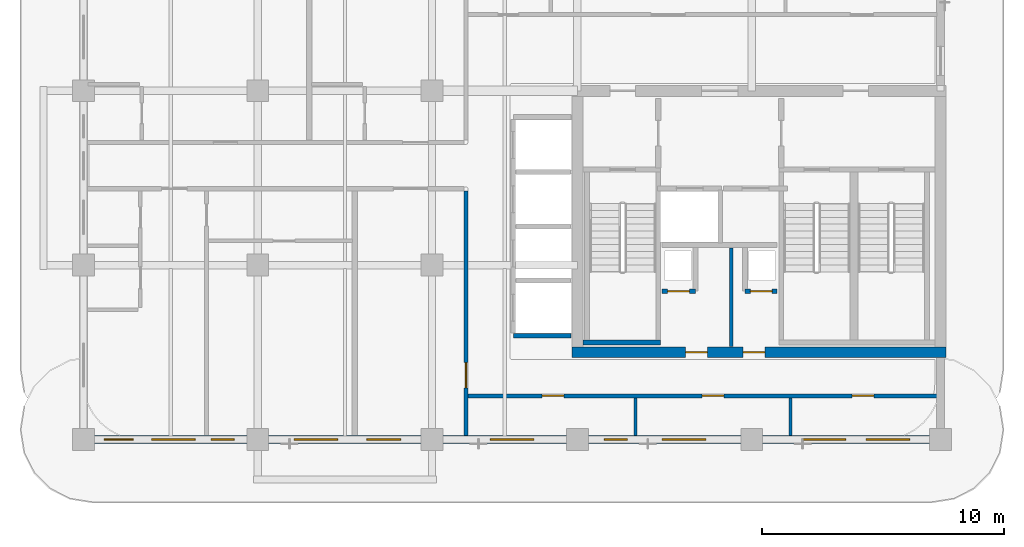
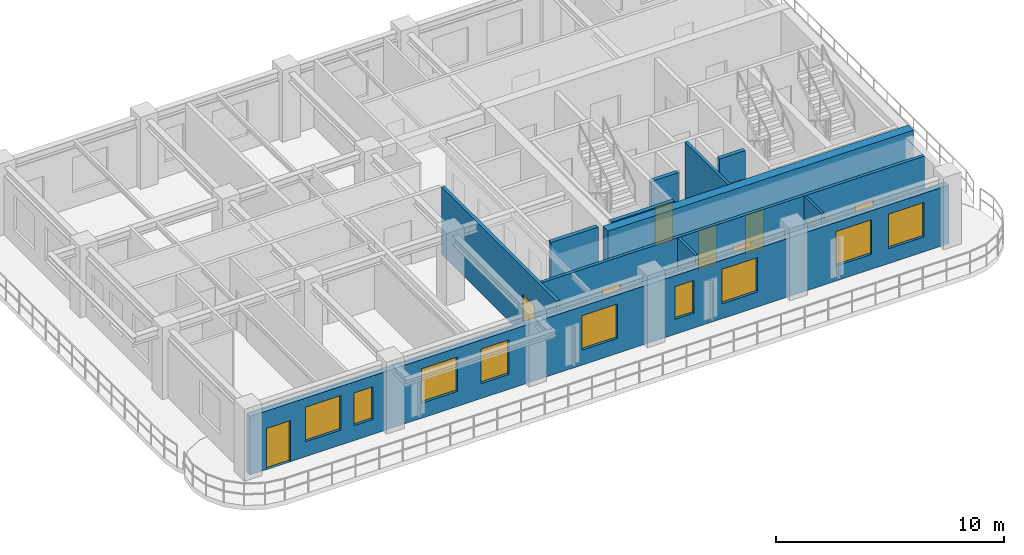
# One storey, part 3 of 7: 11 walls, 9 doors, 9 windows, 18 openings.
"""IFC4 building model written with IfcOpenShell, lengths in metres."""

from ifc_helpers import new_model, si_unit, derived_unit, direction, frame, frame_2d, origin, place, context, subcontext, project, spatial, rectangle, extrude, source, transform, mapped, material, layer, layer_set, type_object, type_shapes, element, fill, save


model = new_model("IFC4")

# Units and contexts
model_context = context("Model", 3, precision=1e-05, world=origin(), true_north=direction((0.0, 1.0)))
body_context = subcontext(model_context, "Body", "Model", "MODEL_VIEW")
ifc_project = project(units=[si_unit("LENGTHUNIT", "METRE"), si_unit("AREAUNIT", "SQUARE_METRE"), si_unit("VOLUMEUNIT", "CUBIC_METRE"), si_unit("PLANEANGLEUNIT", "RADIAN"), si_unit("MASSUNIT", "GRAM", prefix="KILO"), si_unit("THERMODYNAMICTEMPERATUREUNIT", "KELVIN"), si_unit("POWERUNIT", "WATT"), derived_unit("THERMALTRANSMITTANCEUNIT", [(si_unit("POWERUNIT", "WATT"), 1), (si_unit("AREAUNIT", "SQUARE_METRE"), -1), (si_unit("THERMODYNAMICTEMPERATUREUNIT", "KELVIN"), -1)])], contexts=[model_context])

# Site, building, storey
site_placement = place(None, origin())
site = spatial("IfcSite", under=ifc_project, at=site_placement, CompositionType="ELEMENT")
building_placement = place(site_placement, origin())
building = spatial("IfcBuilding", under=site, at=building_placement, Name="Zahravan Archway Hotel and Residences", CompositionType="ELEMENT")
storey_placement = place(building_placement, frame((0.0, 0.0, 240.39990234375)))
storey = spatial("IfcBuildingStorey", under=building, at=storey_placement, Name="L60", CompositionType="ELEMENT", Elevation=240.39990234375)

# Wall, openings, doors
ifc_material_1 = material(Name="Concrete C50/60", Category="concrete")
ifc_layer_1 = layer(ifc_material_1, 0.449951171875, Name="Concrete C50/60", Category="concrete")
ifc_layer_set_1 = layer_set([ifc_layer_1], Name="Concrete C50/60")
wall_type_1 = type_object("IfcWallType", Name="CW-CORE-450", PredefinedType="SHEAR", material=ifc_layer_set_1)
wall_1_placement = place(storey_placement, frame((34.574951171875, 3.60009765625, 0.0), z_axis=(0.0, 0.0, 1.0), x_axis=(1.0, 0.0, 0.0)))
wall_1 = element("IfcWall", 1, at=wall_1_placement, inside=storey, type_object=wall_type_1, Name="L60 Core A Shear S Wall 450 mm", PredefinedType="SHEAR", context=body_context, shape_type="SweptSolid", body=[
    extrude(rectangle(XDim=15.449951171875, YDim=0.449951171875, at=frame_2d((7.72509765625, 0.0))), origin(), (0.0, 0.0, 1.0), 3.85009765625),
])
opening_1_placement = place(wall_1_placement, frame((4.695068359375, 0.0, 0.0)))
opening_1 = element("IfcOpeningElement", 2, at=opening_1_placement, cuts=wall_1, Name="Opening FD-R1", PredefinedType="OPENING", context=body_context, shape_type="SweptSolid", body=[
    extrude(rectangle(XDim=0.89990234375, YDim=2.10009765625, at=frame_2d((0.449951171875, 1.050048828125))), frame((0.0, 0.23486328125, 0.0), z_axis=(0.0, -1.0, 0.0), x_axis=(1.0, 0.0, 0.0)), (0.0, 0.0, 1.0), 0.469970703125),
])
opening_2_placement = place(wall_1_placement, frame((7.074951171875, 0.0, 0.0)))
opening_2 = element("IfcOpeningElement", 3, at=opening_2_placement, cuts=wall_1, Name="Opening FD-R1", PredefinedType="OPENING", context=body_context, shape_type="SweptSolid", body=[
    extrude(rectangle(XDim=0.89990234375, YDim=2.10009765625, at=frame_2d((0.449951171875, 1.050048828125))), frame((0.0, 0.23486328125, 0.0), z_axis=(0.0, -1.0, 0.0), x_axis=(1.0, 0.0, 0.0)), (0.0, 0.0, 1.0), 0.469970703125),
])
ifc_material_2 = material(Name="Fire-Rated Painted Steel", Category="steel")
door_type_1 = type_object("IfcDoorType", Name="FD-RISER-900", OperationType="NOTDEFINED", PredefinedType="DOOR", material=ifc_material_2)
shared_shape_1 = source(origin(), body_context, "Body", "SweptSolid", [
    extrude(rectangle(XDim=0.89990234375, YDim=2.10009765625, at=frame_2d((0.449951171875, 1.050048828125))), frame((0.0, 0.02490234375, 0.0), z_axis=(0.0, -1.0, 0.0), x_axis=(1.0, 0.0, 0.0)), (0.0, 0.0, 1.0), 0.050048828125),
])
type_shapes(door_type_1, [shared_shape_1])
door_1_placement = place(opening_1_placement, origin())
door_1 = element("IfcDoor", 4, at=door_1_placement, inside=storey, type_object=door_type_1, Name="L60 Fan Room Door", OperationType="SINGLE_SWING_RIGHT", OverallHeight=2.10009765625, OverallWidth=0.89990234375, PredefinedType="DOOR", context=body_context, shape_type="MappedRepresentation", body=[
    mapped(shared_shape_1, transform((0.0, 0.0, 0.0), scale=1.0)),
])
fill(opening_1, door_1)
door_2_placement = place(opening_2_placement, origin())
door_2 = element("IfcDoor", 5, at=door_2_placement, inside=storey, type_object=door_type_1, Name="L60 Sub-Meter Cupboard Door", OperationType="SINGLE_SWING_LEFT", OverallHeight=2.10009765625, OverallWidth=0.89990234375, PredefinedType="DOOR", context=body_context, shape_type="MappedRepresentation", body=[
    mapped(shared_shape_1, transform((0.0, 0.0, 0.0), scale=1.0)),
])
fill(opening_2, door_2)

# Wall, openings, door, windows
ifc_material_3 = material(Name="Agra Buff Sandstone & Insulated Backup", Category="masonry")
ifc_layer_2 = layer(ifc_material_3, 0.320068359375, Name="Agra Buff Sandstone & Insulated Backup", Category="masonry")
ifc_layer_set_2 = layer_set([ifc_layer_2], Name="Agra Buff Sandstone & Insulated Backup")
wall_type_2 = type_object("IfcWallType", Name="EW-SAND-320", PredefinedType="SOLIDWALL", material=ifc_layer_set_2)
wall_2_placement = place(storey_placement, frame((14.39990234375, 0.0, 0.0), z_axis=(0.0, 0.0, 1.0), x_axis=(1.0, 0.0, 0.0)))
wall_2 = element("IfcWall", 6, at=wall_2_placement, inside=storey, type_object=wall_type_2, Name="L60 Exterior Sandstone Wall WA-S", PredefinedType="SOLIDWALL", context=body_context, shape_type="SweptSolid", body=[
    extrude(rectangle(XDim=35.400146484375, YDim=0.320068359375, at=frame_2d((17.7001953125, 0.0))), origin(), (0.0, 0.0, 1.0), 3.135009765625),
])
opening_3_placement = place(wall_2_placement, frame((0.85009765625, 0.0, 0.0)))
opening_3 = element("IfcOpeningElement", 7, at=opening_3_placement, cuts=wall_2, Name="Opening ED-BL1", PredefinedType="OPENING", context=body_context, shape_type="SweptSolid", body=[
    extrude(rectangle(XDim=1.199951171875, YDim=2.199951171875, at=frame_2d((0.60009765625, 1.10009765625))), frame((0.0, 0.169921875, 0.0), z_axis=(0.0, -1.0, 0.0), x_axis=(1.0, 0.0, 0.0)), (0.0, 0.0, 1.0), 0.340087890625),
])
opening_4_placement = place(wall_2_placement, frame((2.81103515625, 0.0, 0.800048828125)))
opening_4 = element("IfcOpeningElement", 8, at=opening_4_placement, cuts=wall_2, Name="Opening W-02", PredefinedType="OPENING", context=body_context, shape_type="SweptSolid", body=[
    extrude(rectangle(XDim=1.800048828125, YDim=1.85009765625, at=frame_2d((0.89990234375, 0.925048828125))), frame((0.0, 0.169921875, 0.0), z_axis=(0.0, -1.0, 0.0), x_axis=(1.0, 0.0, 0.0)), (0.0, 0.0, 1.0), 0.340087890625),
])
opening_5_placement = place(wall_2_placement, frame((5.26904296875, 0.0, 0.800048828125)))
opening_5 = element("IfcOpeningElement", 9, at=opening_5_placement, cuts=wall_2, Name="Opening W-04", PredefinedType="OPENING", context=body_context, shape_type="SweptSolid", body=[
    extrude(rectangle(XDim=0.949951171875, YDim=1.75, at=frame_2d((0.47509765625, 0.875))), frame((0.0, 0.169921875, 0.0), z_axis=(0.0, -1.0, 0.0), x_axis=(1.0, 0.0, 0.0)), (0.0, 0.0, 1.0), 0.340087890625),
])
opening_6_placement = place(wall_2_placement, frame((8.696044921875, 0.0, 0.800048828125)))
opening_6 = element("IfcOpeningElement", 10, at=opening_6_placement, cuts=wall_2, Name="Opening W-02", PredefinedType="OPENING", context=body_context, shape_type="SweptSolid", body=[
    extrude(rectangle(XDim=1.800048828125, YDim=1.85009765625, at=frame_2d((0.89990234375, 0.925048828125))), frame((0.0, 0.169921875, 0.0), z_axis=(0.0, -1.0, 0.0), x_axis=(1.0, 0.0, 0.0)), (0.0, 0.0, 1.0), 0.340087890625),
])
opening_7_placement = place(wall_2_placement, frame((11.7041015625, 0.0, 0.800048828125)))
opening_7 = element("IfcOpeningElement", 11, at=opening_7_placement, cuts=wall_2, Name="Opening W-03", PredefinedType="OPENING", context=body_context, shape_type="SweptSolid", body=[
    extrude(rectangle(XDim=1.39990234375, YDim=1.85009765625, at=frame_2d((0.699951171875, 0.925048828125))), frame((0.0, 0.169921875, 0.0), z_axis=(0.0, -1.0, 0.0), x_axis=(1.0, 0.0, 0.0)), (0.0, 0.0, 1.0), 0.340087890625),
])
opening_8_placement = place(wall_2_placement, frame((16.803955078125, 0.0, 0.800048828125)))
opening_8 = element("IfcOpeningElement", 12, at=opening_8_placement, cuts=wall_2, Name="Opening W-02", PredefinedType="OPENING", context=body_context, shape_type="SweptSolid", body=[
    extrude(rectangle(XDim=1.800048828125, YDim=1.85009765625, at=frame_2d((0.89990234375, 0.925048828125))), frame((0.0, 0.169921875, 0.0), z_axis=(0.0, -1.0, 0.0), x_axis=(1.0, 0.0, 0.0)), (0.0, 0.0, 1.0), 0.340087890625),
])
opening_9_placement = place(wall_2_placement, frame((21.52099609375, 0.0, 0.800048828125)))
opening_9 = element("IfcOpeningElement", 13, at=opening_9_placement, cuts=wall_2, Name="Opening W-04", PredefinedType="OPENING", context=body_context, shape_type="SweptSolid", body=[
    extrude(rectangle(XDim=0.949951171875, YDim=1.75, at=frame_2d((0.47509765625, 0.875))), frame((0.0, 0.169921875, 0.0), z_axis=(0.0, -1.0, 0.0), x_axis=(1.0, 0.0, 0.0)), (0.0, 0.0, 1.0), 0.340087890625),
])
opening_10_placement = place(wall_2_placement, frame((23.904052734375, 0.0, 0.800048828125)))
opening_10 = element("IfcOpeningElement", 14, at=opening_10_placement, cuts=wall_2, Name="Opening W-02", PredefinedType="OPENING", context=body_context, shape_type="SweptSolid", body=[
    extrude(rectangle(XDim=1.800048828125, YDim=1.85009765625, at=frame_2d((0.89990234375, 0.925048828125))), frame((0.0, 0.169921875, 0.0), z_axis=(0.0, -1.0, 0.0), x_axis=(1.0, 0.0, 0.0)), (0.0, 0.0, 1.0), 0.340087890625),
])
opening_11_placement = place(wall_2_placement, frame((29.680908203125, 0.0, 0.800048828125)))
opening_11 = element("IfcOpeningElement", 15, at=opening_11_placement, cuts=wall_2, Name="Opening W-02", PredefinedType="OPENING", context=body_context, shape_type="SweptSolid", body=[
    extrude(rectangle(XDim=1.800048828125, YDim=1.85009765625, at=frame_2d((0.89990234375, 0.925048828125))), frame((0.0, 0.169921875, 0.0), z_axis=(0.0, -1.0, 0.0), x_axis=(1.0, 0.0, 0.0)), (0.0, 0.0, 1.0), 0.340087890625),
])
opening_12_placement = place(wall_2_placement, frame((32.326904296875, 0.0, 0.800048828125)))
opening_12 = element("IfcOpeningElement", 16, at=opening_12_placement, cuts=wall_2, Name="Opening W-02", PredefinedType="OPENING", context=body_context, shape_type="SweptSolid", body=[
    extrude(rectangle(XDim=1.800048828125, YDim=1.85009765625, at=frame_2d((0.89990234375, 0.925048828125))), frame((0.0, 0.169921875, 0.0), z_axis=(0.0, -1.0, 0.0), x_axis=(1.0, 0.0, 0.0)), (0.0, 0.0, 1.0), 0.340087890625),
])
ifc_material_4 = material(Name="Bronze-Anodized Glazed Aluminium", Category="aluminium")
door_type_2 = type_object("IfcDoorType", Name="ED-BALC-1200", OperationType="SLIDING_TO_LEFT", PredefinedType="DOOR", material=ifc_material_4)
shared_shape_2 = source(origin(), body_context, "Body", "SweptSolid", [
    extrude(rectangle(XDim=1.199951171875, YDim=2.199951171875, at=frame_2d((0.60009765625, 1.10009765625))), frame((0.0, 0.02490234375, 0.0), z_axis=(0.0, -1.0, 0.0), x_axis=(1.0, 0.0, 0.0)), (0.0, 0.0, 1.0), 0.050048828125),
])
type_shapes(door_type_2, [shared_shape_2])
door_3_placement = place(opening_3_placement, origin())
door_3 = element("IfcDoor", 17, at=door_3_placement, inside=storey, type_object=door_type_2, Name="L60 Outdoor Access Sliding Door (SLB-BAL-L60-SA)", OperationType="SLIDING_TO_LEFT", OverallHeight=2.199951171875, OverallWidth=1.199951171875, PredefinedType="DOOR", context=body_context, shape_type="MappedRepresentation", body=[
    mapped(shared_shape_2, transform((0.0, 0.0, 0.0), scale=1.0)),
])
fill(opening_3, door_3)
ifc_material_5 = material(Name="Bronze-Anodized Thermal-Break Aluminium & Low-E Glass", Category="aluminium")
window_type_1 = type_object("IfcWindowType", Name="WIN-TWR-1400", PartitioningType="SINGLE_PANEL", PredefinedType="WINDOW", material=ifc_material_5)
shared_shape_3 = source(origin(), body_context, "Body", "SweptSolid", [
    extrude(rectangle(XDim=1.39990234375, YDim=1.85009765625, at=frame_2d((0.699951171875, 0.925048828125))), frame((0.0, 0.030029296875, 0.0), z_axis=(0.0, -1.0, 0.0), x_axis=(1.0, 0.0, 0.0)), (0.0, 0.0, 1.0), 0.06005859375),
])
type_shapes(window_type_1, [shared_shape_3])
window_1_placement = place(opening_7_placement, origin())
window_1 = element("IfcWindow", 18, at=window_1_placement, inside=storey, type_object=window_type_1, Name="L60 Loggia Window 04", OverallHeight=1.85009765625, OverallWidth=1.39990234375, PartitioningType="SINGLE_PANEL", PredefinedType="WINDOW", context=body_context, shape_type="MappedRepresentation", body=[
    mapped(shared_shape_3, transform((0.0, 0.0, 0.0), scale=1.0)),
])
fill(opening_7, window_1)
window_type_2 = type_object("IfcWindowType", Name="WIN-NAR-950", PartitioningType="SINGLE_PANEL", PredefinedType="WINDOW", material=ifc_material_5)
shared_shape_4 = source(origin(), body_context, "Body", "SweptSolid", [
    extrude(rectangle(XDim=0.949951171875, YDim=1.75, at=frame_2d((0.47509765625, 0.875))), frame((0.0, 0.030029296875, 0.0), z_axis=(0.0, -1.0, 0.0), x_axis=(1.0, 0.0, 0.0)), (0.0, 0.0, 1.0), 0.06005859375),
])
type_shapes(window_type_2, [shared_shape_4])
window_2_placement = place(opening_5_placement, origin())
window_2 = element("IfcWindow", 19, at=window_2_placement, inside=storey, type_object=window_type_2, Name="L60 Loggia Window 02", OverallHeight=1.75, OverallWidth=0.949951171875, PartitioningType="SINGLE_PANEL", PredefinedType="WINDOW", context=body_context, shape_type="MappedRepresentation", body=[
    mapped(shared_shape_4, transform((0.0, 0.0, 0.0), scale=1.0)),
])
fill(opening_5, window_2)
window_3_placement = place(opening_9_placement, origin())
window_3 = element("IfcWindow", 20, at=window_3_placement, inside=storey, type_object=window_type_2, Name="L60 Loggia Window 06", OverallHeight=1.75, OverallWidth=0.949951171875, PartitioningType="SINGLE_PANEL", PredefinedType="WINDOW", context=body_context, shape_type="MappedRepresentation", body=[
    mapped(shared_shape_4, transform((0.0, 0.0, 0.0), scale=1.0)),
])
fill(opening_9, window_3)
window_type_3 = type_object("IfcWindowType", Name="WIN-TWR-1800", PartitioningType="DOUBLE_PANEL_VERTICAL", PredefinedType="WINDOW", material=ifc_material_5)
shared_shape_5 = source(origin(), body_context, "Body", "SweptSolid", [
    extrude(rectangle(XDim=1.800048828125, YDim=1.85009765625, at=frame_2d((0.89990234375, 0.925048828125))), frame((0.0, 0.030029296875, 0.0), z_axis=(0.0, -1.0, 0.0), x_axis=(1.0, 0.0, 0.0)), (0.0, 0.0, 1.0), 0.06005859375),
])
type_shapes(window_type_3, [shared_shape_5])
window_4_placement = place(opening_4_placement, origin())
window_4 = element("IfcWindow", 21, at=window_4_placement, inside=storey, type_object=window_type_3, Name="L60 Loggia Window 01", OverallHeight=1.85009765625, OverallWidth=1.800048828125, PartitioningType="DOUBLE_PANEL_VERTICAL", PredefinedType="WINDOW", context=body_context, shape_type="MappedRepresentation", body=[
    mapped(shared_shape_5, transform((0.0, 0.0, 0.0), scale=1.0)),
])
fill(opening_4, window_4)
window_5_placement = place(opening_6_placement, origin())
window_5 = element("IfcWindow", 22, at=window_5_placement, inside=storey, type_object=window_type_3, Name="L60 Loggia Window 03", OverallHeight=1.85009765625, OverallWidth=1.800048828125, PartitioningType="DOUBLE_PANEL_VERTICAL", PredefinedType="WINDOW", context=body_context, shape_type="MappedRepresentation", body=[
    mapped(shared_shape_5, transform((0.0, 0.0, 0.0), scale=1.0)),
])
fill(opening_6, window_5)
window_6_placement = place(opening_8_placement, origin())
window_6 = element("IfcWindow", 23, at=window_6_placement, inside=storey, type_object=window_type_3, Name="L60 Loggia Window 05", OverallHeight=1.85009765625, OverallWidth=1.800048828125, PartitioningType="DOUBLE_PANEL_VERTICAL", PredefinedType="WINDOW", context=body_context, shape_type="MappedRepresentation", body=[
    mapped(shared_shape_5, transform((0.0, 0.0, 0.0), scale=1.0)),
])
fill(opening_8, window_6)
window_7_placement = place(opening_10_placement, origin())
window_7 = element("IfcWindow", 24, at=window_7_placement, inside=storey, type_object=window_type_3, Name="L60 Loggia Window 07", OverallHeight=1.85009765625, OverallWidth=1.800048828125, PartitioningType="DOUBLE_PANEL_VERTICAL", PredefinedType="WINDOW", context=body_context, shape_type="MappedRepresentation", body=[
    mapped(shared_shape_5, transform((0.0, 0.0, 0.0), scale=1.0)),
])
fill(opening_10, window_7)
window_8_placement = place(opening_11_placement, origin())
window_8 = element("IfcWindow", 25, at=window_8_placement, inside=storey, type_object=window_type_3, Name="L60 Loggia Window 08", OverallHeight=1.85009765625, OverallWidth=1.800048828125, PartitioningType="DOUBLE_PANEL_VERTICAL", PredefinedType="WINDOW", context=body_context, shape_type="MappedRepresentation", body=[
    mapped(shared_shape_5, transform((0.0, 0.0, 0.0), scale=1.0)),
])
fill(opening_11, window_8)
window_9_placement = place(opening_12_placement, origin())
window_9 = element("IfcWindow", 26, at=window_9_placement, inside=storey, type_object=window_type_3, Name="L60 Loggia Window 09", OverallHeight=1.85009765625, OverallWidth=1.800048828125, PartitioningType="DOUBLE_PANEL_VERTICAL", PredefinedType="WINDOW", context=body_context, shape_type="MappedRepresentation", body=[
    mapped(shared_shape_5, transform((0.0, 0.0, 0.0), scale=1.0)),
])
fill(opening_12, window_9)

# Wall, opening, door
ifc_material_6 = material(Name="Fire-Rated Gypsum & Concrete Block", Category="concrete")
ifc_layer_3 = layer(ifc_material_6, 0.159912109375, Name="Fire-Rated Gypsum & Concrete Block", Category="concrete")
ifc_layer_set_3 = layer_set([ifc_layer_3], Name="Fire-Rated Gypsum & Concrete Block")
wall_type_3 = type_object("IfcWallType", Name="PW-CORR-160", PredefinedType="PARTITIONING", material=ifc_layer_set_3)
wall_3_placement = place(storey_placement, frame((30.199951171875, 0.16796875, 0.0), z_axis=(0.0, 0.0, 1.0), x_axis=(0.0, 1.0, 0.0)))
wall_3 = element("IfcWall", 27, at=wall_3_placement, inside=storey, type_object=wall_type_3, Name="L60 Partition WA-SRW", PredefinedType="PARTITIONING", context=body_context, shape_type="SweptSolid", body=[
    extrude(rectangle(XDim=10.092041015625, YDim=0.159912109375, at=frame_2d((5.0458984375, 0.0))), origin(), (0.0, 0.0, 1.0), 3.60009765625),
])
opening_13_placement = place(wall_3_placement, frame((1.95703125, 0.0, 0.0)))
opening_13 = element("IfcOpeningElement", 28, at=opening_13_placement, cuts=wall_3, Name="Opening FD-L2", PredefinedType="OPENING", context=body_context, shape_type="SweptSolid", body=[
    extrude(rectangle(XDim=1.050048828125, YDim=2.14990234375, at=frame_2d((0.52490234375, 1.074951171875))), frame((0.0, 0.08984375, 0.0), z_axis=(0.0, -1.0, 0.0), x_axis=(1.0, 0.0, 0.0)), (0.0, 0.0, 1.0), 0.179931640625),
])
door_type_3 = type_object("IfcDoorType", Name="FD-LOBBY-1100", OperationType="NOTDEFINED", PredefinedType="DOOR", material=ifc_material_2)
shared_shape_6 = source(origin(), body_context, "Body", "SweptSolid", [
    extrude(rectangle(XDim=1.050048828125, YDim=2.14990234375, at=frame_2d((0.52490234375, 1.074951171875))), frame((0.0, 0.02490234375, 0.0), z_axis=(0.0, -1.0, 0.0), x_axis=(1.0, 0.0, 0.0)), (0.0, 0.0, 1.0), 0.050048828125),
])
type_shapes(door_type_3, [shared_shape_6])
door_4_placement = place(opening_13_placement, origin())
door_4 = element("IfcDoor", 29, at=door_4_placement, inside=storey, type_object=door_type_3, Name="L60 South Riser Corridor Door", OperationType="SINGLE_SWING_RIGHT", OverallHeight=2.14990234375, OverallWidth=1.050048828125, PredefinedType="DOOR", context=body_context, shape_type="MappedRepresentation", body=[
    mapped(shared_shape_6, transform((0.0, 0.0, 0.0), scale=1.0)),
])
fill(opening_13, door_4)

# Wall, openings, doors
wall_4_placement = place(storey_placement, frame((30.2900390625, 1.800048828125, 0.0), z_axis=(0.0, 0.0, 1.0), x_axis=(1.0, 0.0, 0.0)))
wall_4 = element("IfcWall", 30, at=wall_4_placement, inside=storey, type_object=wall_type_3, Name="L60 Partition WA-SRS", PredefinedType="PARTITIONING", context=body_context, shape_type="SweptSolid", body=[
    extrude(rectangle(XDim=19.369873046875, YDim=0.159912109375, at=frame_2d((9.68505859375, 0.0))), origin(), (0.0, 0.0, 1.0), 3.60009765625),
])
opening_14_placement = place(wall_4_placement, frame((3.0537109375, 0.0, 0.0)))
opening_14 = element("IfcOpeningElement", 31, at=opening_14_placement, cuts=wall_4, Name="Opening D-I2", PredefinedType="OPENING", context=body_context, shape_type="SweptSolid", body=[
    extrude(rectangle(XDim=0.89990234375, YDim=2.14990234375, at=frame_2d((0.449951171875, 1.074951171875))), frame((0.0, 0.08984375, 0.0), z_axis=(0.0, -1.0, 0.0), x_axis=(1.0, 0.0, 0.0)), (0.0, 0.0, 1.0), 0.179931640625),
])
opening_15_placement = place(wall_4_placement, frame((9.659912109375, 0.0, 0.0)))
opening_15 = element("IfcOpeningElement", 32, at=opening_15_placement, cuts=wall_4, Name="Opening D-I2", PredefinedType="OPENING", context=body_context, shape_type="SweptSolid", body=[
    extrude(rectangle(XDim=0.89990234375, YDim=2.14990234375, at=frame_2d((0.449951171875, 1.074951171875))), frame((0.0, 0.08984375, 0.0), z_axis=(0.0, -1.0, 0.0), x_axis=(1.0, 0.0, 0.0)), (0.0, 0.0, 1.0), 0.179931640625),
])
opening_16_placement = place(wall_4_placement, frame((15.860107421875, 0.0, 0.0)))
opening_16 = element("IfcOpeningElement", 33, at=opening_16_placement, cuts=wall_4, Name="Opening D-I2", PredefinedType="OPENING", context=body_context, shape_type="SweptSolid", body=[
    extrude(rectangle(XDim=0.89990234375, YDim=2.14990234375, at=frame_2d((0.449951171875, 1.074951171875))), frame((0.0, 0.08984375, 0.0), z_axis=(0.0, -1.0, 0.0), x_axis=(1.0, 0.0, 0.0)), (0.0, 0.0, 1.0), 0.179931640625),
])
ifc_material_7 = material(Name="Hardwood Veneer Timber", Category="wood")
door_type_4 = type_object("IfcDoorType", Name="ID-INT-900", OperationType="NOTDEFINED", PredefinedType="DOOR", material=ifc_material_7)
shared_shape_7 = source(origin(), body_context, "Body", "SweptSolid", [
    extrude(rectangle(XDim=0.89990234375, YDim=2.14990234375, at=frame_2d((0.449951171875, 1.074951171875))), frame((0.0, 0.02490234375, 0.0), z_axis=(0.0, -1.0, 0.0), x_axis=(1.0, 0.0, 0.0)), (0.0, 0.0, 1.0), 0.050048828125),
])
type_shapes(door_type_4, [shared_shape_7])
door_5_placement = place(opening_14_placement, origin())
door_5 = element("IfcDoor", 34, at=door_5_placement, inside=storey, type_object=door_type_4, Name="L60 South Office Door", OperationType="SINGLE_SWING_LEFT", OverallHeight=2.14990234375, OverallWidth=0.89990234375, PredefinedType="DOOR", context=body_context, shape_type="MappedRepresentation", body=[
    mapped(shared_shape_7, transform((0.0, 0.0, 0.0), scale=1.0)),
])
fill(opening_14, door_5)
door_6_placement = place(opening_15_placement, origin())
door_6 = element("IfcDoor", 35, at=door_6_placement, inside=storey, type_object=door_type_4, Name="L60 South Meeting Door", OperationType="SINGLE_SWING_RIGHT", OverallHeight=2.14990234375, OverallWidth=0.89990234375, PredefinedType="DOOR", context=body_context, shape_type="MappedRepresentation", body=[
    mapped(shared_shape_7, transform((0.0, 0.0, 0.0), scale=1.0)),
])
fill(opening_15, door_6)
door_7_placement = place(opening_16_placement, origin())
door_7 = element("IfcDoor", 36, at=door_7_placement, inside=storey, type_object=door_type_4, Name="L60 South Prayer Alcove Door", OperationType="SINGLE_SWING_LEFT", OverallHeight=2.14990234375, OverallWidth=0.89990234375, PredefinedType="DOOR", context=body_context, shape_type="MappedRepresentation", body=[
    mapped(shared_shape_7, transform((0.0, 0.0, 0.0), scale=1.0)),
])
fill(opening_16, door_7)

# Walls
ifc_material_8 = material(Name="Acoustic Stud Partition")
ifc_layer_4 = layer(ifc_material_8, 0.125, Name="Acoustic Stud Partition")
ifc_layer_set_4 = layer_set([ifc_layer_4], Name="Acoustic Stud Partition")
wall_type_4 = type_object("IfcWallType", Name="PW-INT-125", PredefinedType="PARTITIONING", material=ifc_layer_set_4)
for number, where, z_axis, x_axis, name in (
    (37, (37.199951171875, 0.16796875, 0.0), (0.0, 0.0, 1.0), (0.0, 1.0, 0.0), "L60 Partition S-DIV2A"),
    (38, (43.60009765625, 0.16796875, 0.0), (0.0, 0.0, 1.0), (0.0, 1.0, 0.0), "L60 Partition S-DIV2B"),
):
    element("IfcWall", number, at=place(storey_placement, frame(where, z_axis=z_axis, x_axis=x_axis)), inside=storey, type_object=wall_type_4, Name=name, PredefinedType="PARTITIONING", context=body_context, shape_type="SweptSolid", body=[
        extrude(rectangle(XDim=1.5419921875, YDim=0.125, at=frame_2d((0.77099609375, 0.0))), origin(), (0.0, 0.0, 1.0), 3.60009765625),
    ])

# Wall, opening, door
ifc_layer_5 = layer(ifc_material_6, 0.199951171875, Name="Fire-Rated Gypsum & Concrete Block", Category="concrete")
ifc_layer_set_5 = layer_set([ifc_layer_5], Name="Fire-Rated Gypsum & Concrete Block")
wall_type_5 = type_object("IfcWallType", Name="PW-SHAFT-200", PredefinedType="PARTITIONING", material=ifc_layer_set_5)
wall_5_placement = place(storey_placement, frame((38.2900390625, 6.1201171875, 0.0), z_axis=(0.0, 0.0, 1.0), x_axis=(1.0, 0.0, 0.0)))
wall_5 = element("IfcWall", 39, at=wall_5_placement, inside=storey, type_object=wall_type_5, Name="L60 Partition CA-SMKS", PredefinedType="PARTITIONING", context=body_context, shape_type="SweptSolid", body=[
    extrude(rectangle(XDim=1.3798828125, YDim=0.199951171875, at=frame_2d((0.68994140625, 0.0))), origin(), (0.0, 0.0, 1.0), 3.60009765625),
])
opening_17_placement = place(wall_5_placement, frame((0.239990234375, 0.0, 0.0)))
opening_17 = element("IfcOpeningElement", 40, at=opening_17_placement, cuts=wall_5, Name="Opening FD-R1", PredefinedType="OPENING", context=body_context, shape_type="SweptSolid", body=[
    extrude(rectangle(XDim=0.89990234375, YDim=2.10009765625, at=frame_2d((0.449951171875, 1.050048828125))), frame((0.0, 0.10986328125, 0.0), z_axis=(0.0, -1.0, 0.0), x_axis=(1.0, 0.0, 0.0)), (0.0, 0.0, 1.0), 0.219970703125),
])
door_8_placement = place(opening_17_placement, origin())
door_8 = element("IfcDoor", 41, at=door_8_placement, inside=storey, type_object=door_type_1, Name="L60 Smoke Riser Access Door", OperationType="SINGLE_SWING_RIGHT", OverallHeight=2.10009765625, OverallWidth=0.89990234375, PredefinedType="DOOR", context=body_context, shape_type="MappedRepresentation", body=[
    mapped(shared_shape_1, transform((0.0, 0.0, 0.0), scale=1.0)),
])
fill(opening_17, door_8)

wall_6_placement = place(storey_placement, frame((41.72998046875, 6.1201171875, 0.0), z_axis=(0.0, 0.0, 1.0), x_axis=(1.0, 0.0, 0.0)))
wall_6 = element("IfcWall", 42, at=wall_6_placement, inside=storey, type_object=wall_type_5, Name="L60 Partition CA-MEPS", PredefinedType="PARTITIONING", context=body_context, shape_type="SweptSolid", body=[
    extrude(rectangle(XDim=1.320068359375, YDim=0.199951171875, at=frame_2d((0.66015625, 0.0))), origin(), (0.0, 0.0, 1.0), 3.60009765625),
])
opening_18_placement = place(wall_6_placement, frame((0.219970703125, 0.0, 0.0)))
opening_18 = element("IfcOpeningElement", 43, at=opening_18_placement, cuts=wall_6, Name="Opening FD-R1", PredefinedType="OPENING", context=body_context, shape_type="SweptSolid", body=[
    extrude(rectangle(XDim=0.89990234375, YDim=2.10009765625, at=frame_2d((0.449951171875, 1.050048828125))), frame((0.0, 0.10986328125, 0.0), z_axis=(0.0, -1.0, 0.0), x_axis=(1.0, 0.0, 0.0)), (0.0, 0.0, 1.0), 0.219970703125),
])
door_9_placement = place(opening_18_placement, origin())
door_9 = element("IfcDoor", 44, at=door_9_placement, inside=storey, type_object=door_type_1, Name="L60 MEP Riser Access Door", OperationType="SINGLE_SWING_LEFT", OverallHeight=2.10009765625, OverallWidth=0.89990234375, PredefinedType="DOOR", context=body_context, shape_type="MappedRepresentation", body=[
    mapped(shared_shape_1, transform((0.0, 0.0, 0.0), scale=1.0)),
])
fill(opening_18, door_9)

# Walls
wall_7_placement = place(storey_placement, frame((32.159912109375, 4.280029296875, 0.0), z_axis=(0.0, 0.0, 1.0), x_axis=(1.0, 0.0, 0.0)))
element("IfcWall", 45, at=wall_7_placement, inside=storey, type_object=wall_type_5, Name="L60 Partition B3-S", PredefinedType="PARTITIONING", context=body_context, shape_type="SweptSolid", body=[
    extrude(rectangle(XDim=2.385009765625, YDim=0.199951171875, at=frame_2d((1.1923828125, 0.0))), origin(), (0.0, 0.0, 1.0), 3.60009765625),
])
ifc_material_9 = material(Name="Moisture-Resistant Blockwork", Category="masonry")
ifc_layer_6 = layer(ifc_material_9, 0.139892578125, Name="Moisture-Resistant Blockwork", Category="masonry")
ifc_layer_set_6 = layer_set([ifc_layer_6], Name="Moisture-Resistant Blockwork")
wall_type_6 = type_object("IfcWallType", Name="PW-WET-140", PredefinedType="PARTITIONING", material=ifc_layer_set_6)
wall_8_placement = place(storey_placement, frame((41.14990234375, 3.844970703125, 0.0), z_axis=(0.0, 0.0, 1.0), x_axis=(0.0, 1.0, 0.0)))
element("IfcWall", 46, at=wall_8_placement, inside=storey, type_object=wall_type_6, Name="L60 Partition CA-CV2V", PredefinedType="PARTITIONING", context=body_context, shape_type="SweptSolid", body=[
    extrude(rectangle(XDim=4.06494140625, YDim=0.139892578125, at=frame_2d((2.032470703125, 0.0))), origin(), (0.0, 0.0, 1.0), 3.60009765625),
])
ifc_layer_7 = layer(ifc_material_1, 0.199951171875, Name="Concrete C50/60", Category="concrete")
ifc_layer_set_7 = layer_set([ifc_layer_7], Name="Concrete C50/60")
wall_type_7 = type_object("IfcWallType", Name="SW-STAIR-200", PredefinedType="SHEAR", material=ifc_layer_set_7)
wall_9_placement = place(storey_placement, frame((35.02490234375, 4.0, 0.0), z_axis=(0.0, 0.0, 1.0), x_axis=(1.0, 0.0, 0.0)))
element("IfcWall", 47, at=wall_9_placement, inside=storey, type_object=wall_type_7, Name="L60 Stairwell RC Wall CA-SA1S", PredefinedType="SHEAR", context=body_context, shape_type="SweptSolid", body=[
    extrude(rectangle(XDim=3.215087890625, YDim=0.199951171875, at=frame_2d((1.607421875, 0.0))), origin(), (0.0, 0.0, 1.0), 3.85009765625),
])

save(model, "model.ifc")
